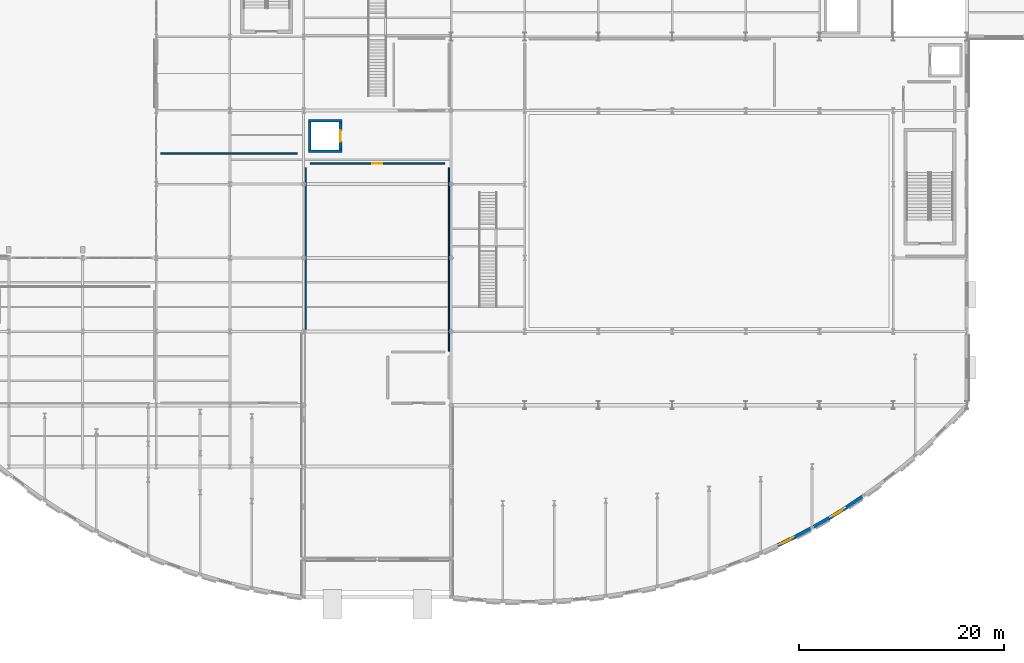
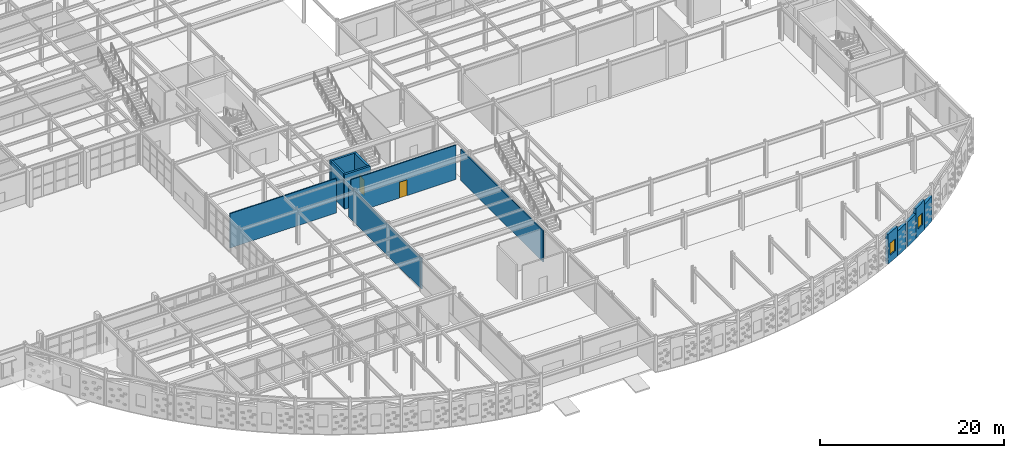
# One storey, part 58 of 83: 13 walls, 2 doors, 2 windows, 4 openings.
"""IFC4 building model written with IfcOpenShell, lengths in metres."""

from ifc_helpers import new_model, si_unit, direction, frame, frame_2d, origin, place, context, subcontext, project, spatial, rectangle, extrude, material, layer, layer_set, type_object, element, fill, save


model = new_model("IFC4")

# Units and contexts
model_context = context("Model", 3, precision=1e-05, world=origin(), true_north=direction((0.0, 1.0)))
body_context = subcontext(model_context, "Body", "Model", "MODEL_VIEW")
ifc_project = project(units=[si_unit("LENGTHUNIT", "METRE"), si_unit("AREAUNIT", "SQUARE_METRE"), si_unit("VOLUMEUNIT", "CUBIC_METRE"), si_unit("PLANEANGLEUNIT", "RADIAN"), si_unit("MASSUNIT", "GRAM", prefix="KILO")], contexts=[model_context])

# Site, building, storey
site_placement = place(None, origin())
site = spatial("IfcSite", under=ifc_project, at=site_placement, CompositionType="ELEMENT")
building_placement = place(site_placement, origin())
building = spatial("IfcBuilding", under=site, at=building_placement, Name="Solvadek Multi-Sports Hall", CompositionType="ELEMENT")
storey_placement = place(building_placement, origin())
storey = spatial("IfcBuildingStorey", under=building, at=storey_placement, Name="L00", CompositionType="ELEMENT", Elevation=0.0)

# Wall, opening, window
ifc_material_1 = material(Name="Fired Deccan terracotta brick masonry", Category="masonry")
ifc_layer_1 = layer(ifc_material_1, 0.35009765625, Name="Fired Deccan terracotta brick masonry")
ifc_layer_set_1 = layer_set([ifc_layer_1], Name="Fired Deccan terracotta brick masonry")
wall_type_1 = type_object("IfcWallType", Name="ENV-WAL-EXT350", PredefinedType="SOLIDWALL", material=ifc_layer_set_1)
wall_1_placement = place(storey_placement, frame((118.320068359375, -7.689208984375, 0.0), z_axis=(0.0, 0.0, 1.0), x_axis=(0.898386650529, 0.439205448682, 0.0)))
wall_1 = element("IfcWall", 1, at=wall_1_placement, inside=storey, type_object=wall_type_1, Name="L00 Crescent Terracotta Brick Base Wall #118", PredefinedType="SOLIDWALL", context=body_context, shape_type="SweptSolid", body=[
    extrude(rectangle(XDim=1.869873046875, YDim=0.35009765625, at=frame_2d((0.93505859375, 0.0))), origin(), (0.0, 0.0, 1.0), 3.949951171875),
])
opening_1_placement = place(wall_1_placement, frame((0.385009765625, 0.0, 0.949951171875)))
opening_1 = element("IfcOpeningElement", 2, at=opening_1_placement, cuts=wall_1, Name="Opening WN-25", PredefinedType="OPENING", context=body_context, shape_type="SweptSolid", body=[
    extrude(rectangle(XDim=1.10009765625, YDim=1.60009765625, at=frame_2d((0.550048828125, 0.800048828125))), frame((0.0, 0.18505859375, 0.0), z_axis=(0.0, -1.0, 0.0), x_axis=(1.0, 0.0, 0.0)), (0.0, 0.0, 1.0), 0.3701171875),
])
ifc_material_2 = material(Name="Tempered laminated low-E glass", Category="glass")
window_type = type_object("IfcWindowType", Name="ENV-WIN-WN-25", PartitioningType="SINGLE_PANEL", PredefinedType="WINDOW", material=ifc_material_2)
window_1_placement = place(opening_1_placement, origin())
window_1 = element("IfcWindow", 3, at=window_1_placement, inside=storey, type_object=window_type, Name="L00 Crescent Deep-Set Window #16", OverallHeight=1.60009765625, OverallWidth=1.10009765625, PartitioningType="SINGLE_PANEL", PredefinedType="WINDOW", context=body_context, shape_type="SweptSolid", body=[
    extrude(rectangle(XDim=1.10009765625, YDim=1.60009765625, at=frame_2d((0.550048828125, 0.800048828125))), frame((0.0, 0.030029296875, 0.0), z_axis=(0.0, -1.0, 0.0), x_axis=(1.0, 0.0, 0.0)), (0.0, 0.0, 1.0), 0.06005859375),
])
fill(opening_1, window_1)

# Walls
wall_2_placement = place(storey_placement, frame((120.0, -6.867919921875, 0.0), z_axis=(0.0, 0.0, 1.0), x_axis=(0.883672326313, 0.468105991959, 0.0)))
element("IfcWall", 4, at=wall_2_placement, inside=storey, type_object=wall_type_1, Name="L00 Crescent Terracotta Brick Base Wall #119", PredefinedType="SOLIDWALL", context=body_context, shape_type="SweptSolid", body=[
    extrude(rectangle(XDim=1.7470703125, YDim=0.35009765625, at=frame_2d((0.87353515625, 0.0))), origin(), (0.0, 0.0, 1.0), 3.300048828125),
])
wall_3_placement = place(storey_placement, frame((121.813720703125, -5.901611328125, 0.0), z_axis=(0.0, 0.0, 1.0), x_axis=(0.867736857042, 0.497023889698, 0.0)))
element("IfcWall", 5, at=wall_3_placement, inside=storey, type_object=wall_type_1, Name="L00 Crescent Terracotta Brick Base Wall #120", PredefinedType="SOLIDWALL", context=body_context, shape_type="SweptSolid", body=[
    extrude(rectangle(XDim=1.781982421875, YDim=0.35009765625, at=frame_2d((0.89111328125, 0.0))), origin(), (0.0, 0.0, 1.0), 3.300048828125),
])

# Wall, opening, window
wall_4_placement = place(storey_placement, frame((123.360107421875, -5.015869140625, 0.0), z_axis=(0.0, 0.0, 1.0), x_axis=(0.850578485611, 0.525848114778, 0.0)))
wall_4 = element("IfcWall", 6, at=wall_4_placement, inside=storey, type_object=wall_type_1, Name="L00 Crescent Terracotta Brick Base Wall #121", PredefinedType="SOLIDWALL", context=body_context, shape_type="SweptSolid", body=[
    extrude(rectangle(XDim=1.97509765625, YDim=0.35009765625, at=frame_2d((0.987548828125, 0.0))), origin(), (0.0, 0.0, 1.0), 3.949951171875),
])
opening_2_placement = place(wall_4_placement, frame((0.4375, 0.0, 0.949951171875)))
opening_2 = element("IfcOpeningElement", 7, at=opening_2_placement, cuts=wall_4, Name="Opening WN-25", PredefinedType="OPENING", context=body_context, shape_type="SweptSolid", body=[
    extrude(rectangle(XDim=1.10009765625, YDim=1.60009765625, at=frame_2d((0.550048828125, 0.800048828125))), frame((0.0, 0.18505859375, 0.0), z_axis=(0.0, -1.0, 0.0), x_axis=(1.0, 0.0, 0.0)), (0.0, 0.0, 1.0), 0.3701171875),
])
window_2_placement = place(opening_2_placement, origin())
window_2 = element("IfcWindow", 8, at=window_2_placement, inside=storey, type_object=window_type, Name="L00 Crescent Deep-Set Window #17", OverallHeight=1.60009765625, OverallWidth=1.10009765625, PartitioningType="SINGLE_PANEL", PredefinedType="WINDOW", context=body_context, shape_type="SweptSolid", body=[
    extrude(rectangle(XDim=1.10009765625, YDim=1.60009765625, at=frame_2d((0.550048828125, 0.800048828125))), frame((0.0, 0.030029296875, 0.0), z_axis=(0.0, -1.0, 0.0), x_axis=(1.0, 0.0, 0.0)), (0.0, 0.0, 1.0), 0.06005859375),
])
fill(opening_2, window_2)

# Wall
wall_5_placement = place(storey_placement, frame((125.0400390625, -3.977294921875, 0.0), z_axis=(0.0, 0.0, 1.0), x_axis=(0.831949594472, 0.554851216326, 0.0)))
element("IfcWall", 9, at=wall_5_placement, inside=storey, type_object=wall_type_1, Name="L00 Crescent Terracotta Brick Base Wall #122", PredefinedType="SOLIDWALL", context=body_context, shape_type="SweptSolid", body=[
    extrude(rectangle(XDim=1.865234375, YDim=0.35009765625, at=frame_2d((0.9326171875, 0.0))), origin(), (0.0, 0.0, 1.0), 3.300048828125),
])

# Wall, opening, door
ifc_material_3 = material(Name="Autoclaved aerated concrete blockwork", Category="masonry")
ifc_layer_2 = layer(ifc_material_3, 0.135009765625, Name="Autoclaved aerated concrete blockwork")
ifc_layer_set_2 = layer_set([ifc_layer_2], Name="Autoclaved aerated concrete blockwork")
wall_type_2 = type_object("IfcWallType", Name="INT-WAL-PRT135", PredefinedType="PARTITIONING", material=ifc_layer_set_2)
wall_6_placement = place(storey_placement, frame((72.6201171875, 29.60009765625, 0.0), z_axis=(0.0, 0.0, 1.0), x_axis=(1.0, 0.0, 0.0)))
wall_6 = element("IfcWall", 10, at=wall_6_placement, inside=storey, type_object=wall_type_2, Name="L00 Partition Wall L00-11 N", PredefinedType="PARTITIONING", context=body_context, shape_type="SweptSolid", body=[
    extrude(rectangle(XDim=13.159912109375, YDim=0.135009765625, at=frame_2d((6.580078125, 0.0))), origin(), (0.0, 0.0, 1.0), 4.56494140625),
])
opening_3_placement = place(wall_6_placement, frame((6.10498046875, 0.0, 0.0)))
opening_3 = element("IfcOpeningElement", 11, at=opening_3_placement, cuts=wall_6, Name="Opening D-02", PredefinedType="OPENING", context=body_context, shape_type="SweptSolid", body=[
    extrude(rectangle(XDim=0.949951171875, YDim=2.10009765625, at=frame_2d((0.47509765625, 1.050048828125))), frame((0.0, 0.077392578125, 0.0), z_axis=(0.0, -1.0, 0.0), x_axis=(1.0, 0.0, 0.0)), (0.0, 0.0, 1.0), 0.155029296875),
])
ifc_material_4 = material(Name="Teak hardwood timber", Category="wood")
door_type_1 = type_object("IfcDoorType", Name="INT-DOR-RM095X210", OperationType="NOTDEFINED", PredefinedType="DOOR", material=ifc_material_4)
door_1_placement = place(opening_3_placement, frame((0.949951171875, 0.0, 0.0), z_axis=(0.0, 0.0, 1.0), x_axis=(-1.0, 0.0, 0.0)))
door_1 = element("IfcDoor", 12, at=door_1_placement, inside=storey, type_object=door_type_1, Name="L00 L00-11 Door #27", OperationType="SINGLE_SWING_RIGHT", OverallHeight=2.10009765625, OverallWidth=0.949951171875, PredefinedType="DOOR", context=body_context, shape_type="SweptSolid", body=[
    extrude(rectangle(XDim=0.949951171875, YDim=2.10009765625, at=frame_2d((0.47509765625, 1.050048828125))), frame((0.0, 0.02490234375, 0.0), z_axis=(0.0, -1.0, 0.0), x_axis=(1.0, 0.0, 0.0)), (0.0, 0.0, 1.0), 0.050048828125),
])
fill(opening_3, door_1)

# Walls
wall_7_placement = place(storey_placement, frame((72.199951171875, 13.428466796875, 0.0), z_axis=(0.0, 0.0, 1.0), x_axis=(0.0, 1.0, 0.0)))
element("IfcWall", 13, at=wall_7_placement, inside=storey, type_object=wall_type_2, Name="L00 Partition Wall L00-11 W", PredefinedType="PARTITIONING", context=body_context, shape_type="SweptSolid", body=[
    extrude(rectangle(XDim=15.75146484375, YDim=0.135009765625, at=frame_2d((7.875732421875, 0.0))), origin(), (0.0, 0.0, 1.0), 4.110107421875),
])
wall_8_placement = place(storey_placement, frame((86.199951171875, 11.260009765625, 0.0), z_axis=(0.0, 0.0, 1.0), x_axis=(0.0, 1.0, 0.0)))
element("IfcWall", 14, at=wall_8_placement, inside=storey, type_object=wall_type_2, Name="L00 Partition Wall L00-11 E", PredefinedType="PARTITIONING", context=body_context, shape_type="SweptSolid", body=[
    extrude(rectangle(XDim=17.919921875, YDim=0.135009765625, at=frame_2d((8.9599609375, 0.0))), origin(), (0.0, 0.0, 1.0), 4.110107421875),
])
wall_9_placement = place(storey_placement, frame((58.02001953125, 30.60009765625, 0.0), z_axis=(0.0, 0.0, 1.0), x_axis=(1.0, 0.0, 0.0)))
element("IfcWall", 15, at=wall_9_placement, inside=storey, type_object=wall_type_2, Name="L00 Partition Wall L00-22 N", PredefinedType="PARTITIONING", context=body_context, shape_type="SweptSolid", body=[
    extrude(rectangle(XDim=13.35986328125, YDim=0.135009765625, at=frame_2d((6.679931640625, 0.0))), origin(), (0.0, 0.0, 1.0), 4.56494140625),
])
ifc_material_5 = material(Name="Concrete M40", Category="concrete")
ifc_layer_3 = layer(ifc_material_5, 0.260009765625, Name="Concrete M40")
ifc_layer_set_3 = layer_set([ifc_layer_3], Name="Concrete M40")
wall_type_3 = type_object("IfcWallType", Name="INT-WAL-SHR260", PredefinedType="SHEAR", material=ifc_layer_set_3)
for number, where, z_axis, x_axis, name in (
    (16, (72.469970703125, 30.800048828125, 0.0), (0.0, 0.0, 1.0), (1.0, 0.0, 0.0), "Lift LP-02 Shaft Shear Wall L00 south"),
    (17, (72.469970703125, 33.800048828125, 0.0), (0.0, 0.0, 1.0), (1.0, 0.0, 0.0), "Lift LP-02 Shaft Shear Wall L00 north"),
):
    element("IfcWall", number, at=place(storey_placement, frame(where, z_axis=z_axis, x_axis=x_axis)), inside=storey, type_object=wall_type_3, Name=name, PredefinedType="SHEAR", context=body_context, shape_type="SweptSolid", body=[
        extrude(rectangle(XDim=3.260009765625, YDim=0.260009765625, at=frame_2d((1.6298828125, 0.0))), origin(), (0.0, 0.0, 1.0), 4.580078125),
    ])
wall_10_placement = place(storey_placement, frame((72.60009765625, 30.929931640625, 0.0), z_axis=(0.0, 0.0, 1.0), x_axis=(0.0, 1.0, 0.0)))
element("IfcWall", 18, at=wall_10_placement, inside=storey, type_object=wall_type_3, Name="Lift LP-02 Shaft Shear Wall L00 west", PredefinedType="SHEAR", context=body_context, shape_type="SweptSolid", body=[
    extrude(rectangle(XDim=2.739990234375, YDim=0.260009765625, at=frame_2d((1.3701171875, 0.0))), origin(), (0.0, 0.0, 1.0), 4.580078125),
])

# Wall, opening, door
wall_11_placement = place(storey_placement, frame((75.60009765625, 30.929931640625, 0.0), z_axis=(0.0, 0.0, 1.0), x_axis=(0.0, 1.0, 0.0)))
wall_11 = element("IfcWall", 19, at=wall_11_placement, inside=storey, type_object=wall_type_3, Name="Lift LP-02 Shaft Shear Wall L00 east", PredefinedType="SHEAR", context=body_context, shape_type="SweptSolid", body=[
    extrude(rectangle(XDim=2.739990234375, YDim=0.260009765625, at=frame_2d((1.3701171875, 0.0))), origin(), (0.0, 0.0, 1.0), 4.580078125),
])
opening_4_placement = place(wall_11_placement, frame((0.820068359375, 0.0, 0.0)))
opening_4 = element("IfcOpeningElement", 20, at=opening_4_placement, cuts=wall_11, Name="Opening LD-17", PredefinedType="OPENING", context=body_context, shape_type="SweptSolid", body=[
    extrude(rectangle(XDim=1.10009765625, YDim=2.14990234375, at=frame_2d((0.550048828125, 1.074951171875))), frame((0.0, 0.139892578125, 0.0), z_axis=(0.0, -1.0, 0.0), x_axis=(1.0, 0.0, 0.0)), (0.0, 0.0, 1.0), 0.280029296875),
])
ifc_material_6 = material(Name="Anodised aluminium", Category="aluminium")
door_type_2 = type_object("IfcDoorType", Name="INT-DOR-LD110X215", OperationType="DOUBLE_DOOR_SLIDING", PredefinedType="DOOR", material=ifc_material_6)
door_2_placement = place(opening_4_placement, origin())
door_2 = element("IfcDoor", 21, at=door_2_placement, inside=storey, type_object=door_type_2, Name="L00 Lift LP-02 Sliding Landing Door LD-17", OperationType="DOUBLE_DOOR_SLIDING", OverallHeight=2.14990234375, OverallWidth=1.10009765625, PredefinedType="DOOR", context=body_context, shape_type="SweptSolid", body=[
    extrude(rectangle(XDim=1.10009765625, YDim=2.14990234375, at=frame_2d((0.550048828125, 1.074951171875))), frame((0.0, 0.02490234375, 0.0), z_axis=(0.0, -1.0, 0.0), x_axis=(1.0, 0.0, 0.0)), (0.0, 0.0, 1.0), 0.050048828125),
])
fill(opening_4, door_2)

save(model, "model.ifc")
